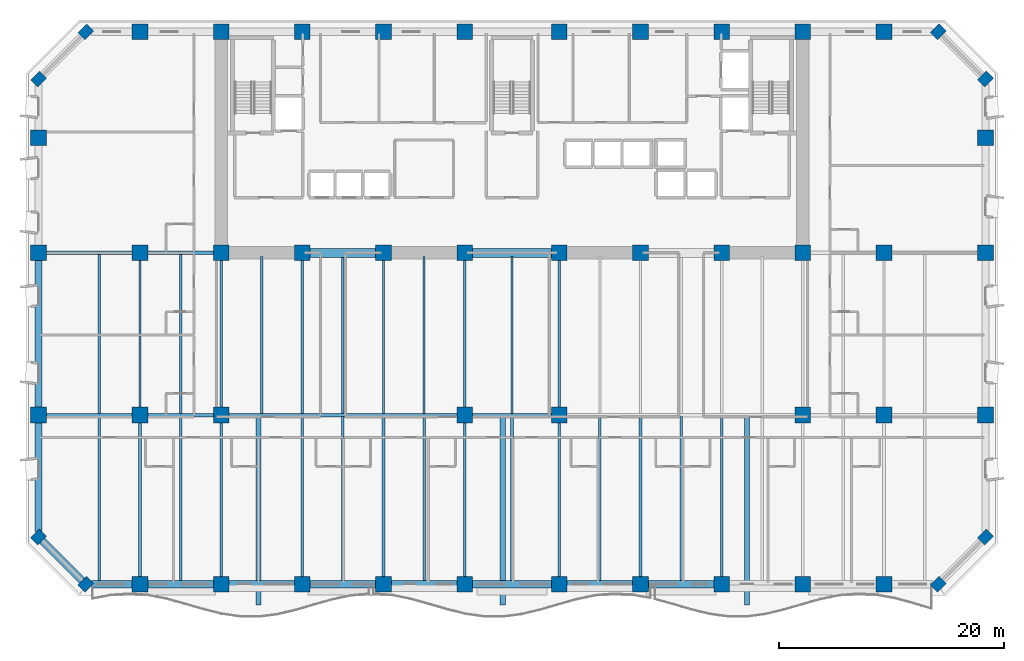
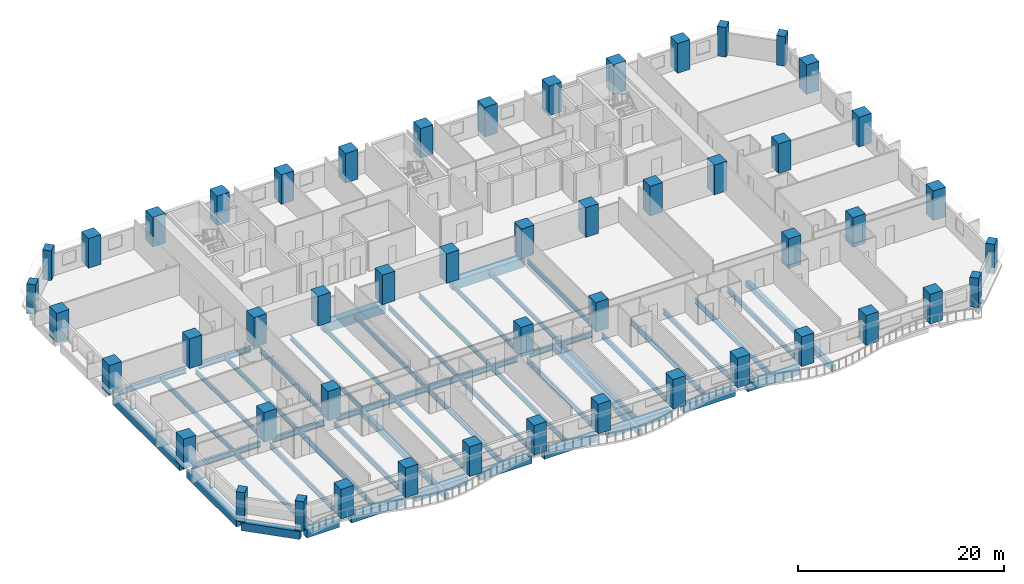
# One storey, part 1 of 15: 50 columns, 49 beams.
"""IFC4 building model written with IfcOpenShell, lengths in metres."""

from ifc_helpers import new_model, si_unit, direction, frame, origin, origin_2d, place, context, subcontext, project, spatial, rectangle, i_section, extrude, material, material_profile, profile_set, type_object, element, save


model = new_model("IFC4")

# Units and contexts
model_context = context("Model", 3, precision=1e-05, world=origin(), true_north=direction((0.0, 1.0)))
body_context = subcontext(model_context, "Body", "Model", "MODEL_VIEW")
ifc_project = project(units=[si_unit("LENGTHUNIT", "METRE"), si_unit("AREAUNIT", "SQUARE_METRE"), si_unit("VOLUMEUNIT", "CUBIC_METRE"), si_unit("PLANEANGLEUNIT", "RADIAN"), si_unit("MASSUNIT", "GRAM", prefix="KILO")], contexts=[model_context])

# Site, building, storey
site_placement = place(None, origin())
site = spatial("IfcSite", under=ifc_project, at=site_placement, CompositionType="ELEMENT")
building_placement = place(site_placement, origin())
building = spatial("IfcBuilding", under=site, at=building_placement, Name="Kaelvorn Grand Hotel", CompositionType="ELEMENT")
storey_placement = place(building_placement, frame((0.0, 0.0, 61.39990234375)))
storey = spatial("IfcBuildingStorey", under=building, at=storey_placement, Name="L13", CompositionType="ELEMENT", Elevation=61.39990234375)

# Columns
ifc_material_1 = material(Name="Concrete C80/95", Category="concrete")
ifc_material_profile_1 = material_profile(ifc_material_1, rectangle(XDim=1.10009765625, YDim=0.89990234375, at=origin_2d()), Name="RC PILASTER 1100x900")
ifc_profile_set_1 = profile_set([ifc_material_profile_1], Name="Concrete C80/95")
column_type_1 = type_object("IfcColumnType", Name="COL-PIL-1100x900-C80", PredefinedType="PILASTER", material=ifc_profile_set_1)
for number, where, z_axis, x_axis, name in (
    (1, (4.199951171875, 0.0, 0.0), (0.0, 0.0, 1.0), (0.707106781187, 0.707106781187, 0.0), "L13 Structural Column CH-01"),
    (2, (79.800048828125, 0.0, 0.0), (0.0, 0.0, 1.0), (0.707106781187, 0.707106781187, 0.0), "L13 Structural Column CH-02"),
    (3, (84.0, 4.199951171875, 0.0), (0.0, 0.0, 1.0), (0.707106781187, 0.707106781187, 0.0), "L13 Structural Column CH-03"),
    (4, (84.0, 44.800048828125, 0.0), (0.0, 0.0, 1.0), (0.707106781187, 0.707106781187, 0.0), "L13 Structural Column CH-04"),
    (5, (79.800048828125, 49.0, 0.0), (0.0, 0.0, 1.0), (0.707106781187, 0.707106781187, 0.0), "L13 Structural Column CH-05"),
    (6, (4.199951171875, 49.0, 0.0), (0.0, 0.0, 1.0), (0.707106781187, 0.707106781187, 0.0), "L13 Structural Column CH-06"),
    (7, (0.0, 44.800048828125, 0.0), (0.0, 0.0, 1.0), (0.707106781187, 0.707106781187, 0.0), "L13 Structural Column CH-07"),
    (8, (0.0, 4.199951171875, 0.0), (0.0, 0.0, 1.0), (0.707106781187, 0.707106781187, 0.0), "L13 Structural Column CH-08"),
):
    element("IfcColumn", number, at=place(storey_placement, frame(where, z_axis=z_axis, x_axis=x_axis)), inside=storey, type_object=column_type_1, Name=name, PredefinedType="PILASTER", context=body_context, shape_type="SweptSolid", body=[
        extrude(rectangle(XDim=1.10009765625, YDim=0.89990234375, at=origin_2d()), origin(), (0.0, 0.0, 1.0), 3.510009765625),
    ])
ifc_material_profile_2 = material_profile(ifc_material_1, rectangle(XDim=1.39990234375, YDim=1.39990234375, at=origin_2d()), Name="RC COL 1400x1400")
ifc_profile_set_2 = profile_set([ifc_material_profile_2], Name="Concrete C80/95")
column_type_2 = type_object("IfcColumnType", Name="COL-RC-1400-C80", PredefinedType="COLUMN", material=ifc_profile_set_2)
for number, where, z_axis, x_axis, name in (
    (9, (9.0, 0.0, 0.0), (0.0, 0.0, 1.0), (1.0, 0.0, 0.0), "L13 Structural Column S-01"),
    (10, (16.199951171875, 0.0, 0.0), (0.0, 0.0, 1.0), (1.0, 0.0, 0.0), "L13 Structural Column S-02"),
    (11, (23.39990234375, 0.0, 0.0), (0.0, 0.0, 1.0), (1.0, 0.0, 0.0), "L13 Structural Column S-03"),
    (12, (30.60009765625, 0.0, 0.0), (0.0, 0.0, 1.0), (1.0, 0.0, 0.0), "L13 Structural Column S-04"),
    (13, (37.800048828125, 0.0, 0.0), (0.0, 0.0, 1.0), (1.0, 0.0, 0.0), "L13 Structural Column S-05"),
    (14, (46.199951171875, 0.0, 0.0), (0.0, 0.0, 1.0), (1.0, 0.0, 0.0), "L13 Structural Column S-06"),
    (15, (53.39990234375, 0.0, 0.0), (0.0, 0.0, 1.0), (1.0, 0.0, 0.0), "L13 Structural Column S-07"),
    (16, (60.60009765625, 0.0, 0.0), (0.0, 0.0, 1.0), (1.0, 0.0, 0.0), "L13 Structural Column S-08"),
    (17, (67.800048828125, 0.0, 0.0), (0.0, 0.0, 1.0), (1.0, 0.0, 0.0), "L13 Structural Column S-09"),
    (18, (75.0, 0.0, 0.0), (0.0, 0.0, 1.0), (1.0, 0.0, 0.0), "L13 Structural Column S-10"),
    (19, (0.0, 15.0, 0.0), (0.0, 0.0, 1.0), (1.0, 0.0, 0.0), "L13 Structural Column W-01"),
    (20, (84.0, 15.0, 0.0), (0.0, 0.0, 1.0), (1.0, 0.0, 0.0), "L13 Structural Column E-01"),
    (21, (0.0, 29.39990234375, 0.0), (0.0, 0.0, 1.0), (1.0, 0.0, 0.0), "L13 Structural Column W-02"),
    (22, (84.0, 29.39990234375, 0.0), (0.0, 0.0, 1.0), (1.0, 0.0, 0.0), "L13 Structural Column E-02"),
    (23, (0.0, 39.60009765625, 0.0), (0.0, 0.0, 1.0), (1.0, 0.0, 0.0), "L13 Structural Column W-03"),
    (24, (84.0, 39.60009765625, 0.0), (0.0, 0.0, 1.0), (1.0, 0.0, 0.0), "L13 Structural Column E-03"),
    (25, (9.0, 15.0, 0.0), (0.0, 0.0, 1.0), (1.0, 0.0, 0.0), "L13 Structural Column M-01"),
    (26, (16.199951171875, 15.0, 0.0), (0.0, 0.0, 1.0), (1.0, 0.0, 0.0), "L13 Structural Column M-02"),
    (27, (37.800048828125, 15.0, 0.0), (0.0, 0.0, 1.0), (1.0, 0.0, 0.0), "L13 Structural Column M-03"),
    (28, (46.199951171875, 15.0, 0.0), (0.0, 0.0, 1.0), (1.0, 0.0, 0.0), "L13 Structural Column M-04"),
    (29, (67.800048828125, 15.0, 0.0), (0.0, 0.0, 1.0), (1.0, 0.0, 0.0), "L13 Structural Column M-05"),
    (30, (75.0, 15.0, 0.0), (0.0, 0.0, 1.0), (1.0, 0.0, 0.0), "L13 Structural Column M-06"),
    (31, (9.0, 29.39990234375, 0.0), (0.0, 0.0, 1.0), (1.0, 0.0, 0.0), "L13 Structural Column CR1-01"),
    (32, (9.0, 49.0, 0.0), (0.0, 0.0, 1.0), (1.0, 0.0, 0.0), "L13 Structural Column CR2-01"),
    (33, (16.199951171875, 29.39990234375, 0.0), (0.0, 0.0, 1.0), (1.0, 0.0, 0.0), "L13 Structural Column CR1-02"),
    (34, (16.199951171875, 49.0, 0.0), (0.0, 0.0, 1.0), (1.0, 0.0, 0.0), "L13 Structural Column CR2-02"),
    (35, (23.39990234375, 29.39990234375, 0.0), (0.0, 0.0, 1.0), (1.0, 0.0, 0.0), "L13 Structural Column CR1-03"),
    (36, (23.39990234375, 49.0, 0.0), (0.0, 0.0, 1.0), (1.0, 0.0, 0.0), "L13 Structural Column CR2-03"),
    (37, (30.60009765625, 29.39990234375, 0.0), (0.0, 0.0, 1.0), (1.0, 0.0, 0.0), "L13 Structural Column CR1-04"),
    (38, (30.60009765625, 49.0, 0.0), (0.0, 0.0, 1.0), (1.0, 0.0, 0.0), "L13 Structural Column CR2-04"),
    (39, (37.800048828125, 29.39990234375, 0.0), (0.0, 0.0, 1.0), (1.0, 0.0, 0.0), "L13 Structural Column CR1-05"),
    (40, (37.800048828125, 49.0, 0.0), (0.0, 0.0, 1.0), (1.0, 0.0, 0.0), "L13 Structural Column CR2-05"),
    (41, (46.199951171875, 29.39990234375, 0.0), (0.0, 0.0, 1.0), (1.0, 0.0, 0.0), "L13 Structural Column CR1-06"),
    (42, (46.199951171875, 49.0, 0.0), (0.0, 0.0, 1.0), (1.0, 0.0, 0.0), "L13 Structural Column CR2-06"),
    (43, (53.39990234375, 29.39990234375, 0.0), (0.0, 0.0, 1.0), (1.0, 0.0, 0.0), "L13 Structural Column CR1-07"),
    (44, (53.39990234375, 49.0, 0.0), (0.0, 0.0, 1.0), (1.0, 0.0, 0.0), "L13 Structural Column CR2-07"),
    (45, (60.60009765625, 29.39990234375, 0.0), (0.0, 0.0, 1.0), (1.0, 0.0, 0.0), "L13 Structural Column CR1-08"),
    (46, (60.60009765625, 49.0, 0.0), (0.0, 0.0, 1.0), (1.0, 0.0, 0.0), "L13 Structural Column CR2-08"),
    (47, (67.800048828125, 29.39990234375, 0.0), (0.0, 0.0, 1.0), (1.0, 0.0, 0.0), "L13 Structural Column CR1-09"),
    (48, (67.800048828125, 49.0, 0.0), (0.0, 0.0, 1.0), (1.0, 0.0, 0.0), "L13 Structural Column CR2-09"),
    (49, (75.0, 29.39990234375, 0.0), (0.0, 0.0, 1.0), (1.0, 0.0, 0.0), "L13 Structural Column CR1-10"),
    (50, (75.0, 49.0, 0.0), (0.0, 0.0, 1.0), (1.0, 0.0, 0.0), "L13 Structural Column CR2-10"),
):
    element("IfcColumn", number, at=place(storey_placement, frame(where, z_axis=z_axis, x_axis=x_axis)), inside=storey, type_object=column_type_2, Name=name, PredefinedType="COLUMN", context=body_context, shape_type="SweptSolid", body=[
        extrude(rectangle(XDim=1.39990234375, YDim=1.39990234375, at=origin_2d()), origin(), (0.0, 0.0, 1.0), 3.510009765625),
    ])

# Beams
ifc_material_2 = material(Name="Steel S355", Category="steel")
ifc_material_profile_3 = material_profile(ifc_material_2, i_section(OverallWidth=0.300048828125, OverallDepth=0.64990234375, WebThickness=0.01611328125, FlangeThickness=0.031005859375, FilletRadius=0.027099609375, at=origin_2d()), Name="HEB 650")
ifc_profile_set_3 = profile_set([ifc_material_profile_3], Name="Steel S355")
beam_type_1 = type_object("IfcBeamType", Name="BM-G-HEB650-S355", PredefinedType="BEAM", material=ifc_profile_set_3)
beam_1_placement = place(storey_placement, frame((0.68505859375, 15.0, -0.56494140625), z_axis=(1.0, 0.0, 0.0), x_axis=(0.0, 1.0, 0.0)))
element("IfcBeam", 51, at=beam_1_placement, inside=storey, type_object=beam_type_1, Name="L13 Primary Spine Steel Girder G-15 01", PredefinedType="BEAM", context=body_context, shape_type="SweptSolid", body=[
    extrude(i_section(OverallWidth=0.300048828125, OverallDepth=0.64990234375, WebThickness=0.01611328125, FlangeThickness=0.031005859375, FilletRadius=0.027099609375, at=origin_2d()), origin(), (0.0, 0.0, 1.0), 7.6298828125),
])
beam_2_placement = place(storey_placement, frame((9.68505859375, 15.0, -0.56494140625), z_axis=(1.0, 0.0, 0.0), x_axis=(0.0, 1.0, 0.0)))
element("IfcBeam", 52, at=beam_2_placement, inside=storey, type_object=beam_type_1, Name="L13 Primary Spine Steel Girder G-15 02", PredefinedType="BEAM", context=body_context, shape_type="SweptSolid", body=[
    extrude(i_section(OverallWidth=0.300048828125, OverallDepth=0.64990234375, WebThickness=0.01611328125, FlangeThickness=0.031005859375, FilletRadius=0.027099609375, at=origin_2d()), origin(), (0.0, 0.0, 1.0), 5.829833984375),
])
beam_3_placement = place(storey_placement, frame((16.885009765625, 15.0, -0.56494140625), z_axis=(1.0, 0.0, 0.0), x_axis=(0.0, 1.0, 0.0)))
element("IfcBeam", 53, at=beam_3_placement, inside=storey, type_object=beam_type_1, Name="L13 Primary Spine Steel Girder G-15 03", PredefinedType="BEAM", context=body_context, shape_type="SweptSolid", body=[
    extrude(i_section(OverallWidth=0.300048828125, OverallDepth=0.64990234375, WebThickness=0.01611328125, FlangeThickness=0.031005859375, FilletRadius=0.027099609375, at=origin_2d()), origin(), (0.0, 0.0, 1.0), 20.22998046875),
])
beam_4_placement = place(storey_placement, frame((38.485107421875, 15.0, -0.56494140625), z_axis=(1.0, 0.0, 0.0), x_axis=(0.0, 1.0, 0.0)))
element("IfcBeam", 54, at=beam_4_placement, inside=storey, type_object=beam_type_1, Name="L13 Primary Spine Steel Girder G-15 04", PredefinedType="BEAM", context=body_context, shape_type="SweptSolid", body=[
    extrude(i_section(OverallWidth=0.300048828125, OverallDepth=0.64990234375, WebThickness=0.01611328125, FlangeThickness=0.031005859375, FilletRadius=0.027099609375, at=origin_2d()), origin(), (0.0, 0.0, 1.0), 7.02978515625),
])
beam_5_placement = place(storey_placement, frame((0.68505859375, 29.39990234375, -0.56494140625), z_axis=(1.0, 0.0, 0.0), x_axis=(0.0, 1.0, 0.0)))
element("IfcBeam", 55, at=beam_5_placement, inside=storey, type_object=beam_type_1, Name="L13 West Core Wing Steel Girder G-29W 01", PredefinedType="BEAM", context=body_context, shape_type="SweptSolid", body=[
    extrude(i_section(OverallWidth=0.300048828125, OverallDepth=0.64990234375, WebThickness=0.01611328125, FlangeThickness=0.031005859375, FilletRadius=0.027099609375, at=origin_2d()), origin(), (0.0, 0.0, 1.0), 7.6298828125),
])
beam_6_placement = place(storey_placement, frame((9.68505859375, 29.39990234375, -0.56494140625), z_axis=(1.0, 0.0, 0.0), x_axis=(0.0, 1.0, 0.0)))
element("IfcBeam", 56, at=beam_6_placement, inside=storey, type_object=beam_type_1, Name="L13 West Core Wing Steel Girder G-29W 02", PredefinedType="BEAM", context=body_context, shape_type="SweptSolid", body=[
    extrude(i_section(OverallWidth=0.300048828125, OverallDepth=0.64990234375, WebThickness=0.01611328125, FlangeThickness=0.031005859375, FilletRadius=0.027099609375, at=origin_2d()), origin(), (0.0, 0.0, 1.0), 5.829833984375),
])
ifc_material_profile_4 = material_profile(ifc_material_2, i_section(OverallWidth=0.209228515625, OverallDepth=0.533203125, WebThickness=0.010009765625, FlangeThickness=0.015625, FilletRadius=0.0126953125, at=origin_2d()), Name="UB 533x210x92")
ifc_profile_set_4 = profile_set([ifc_material_profile_4], Name="Steel S355")
beam_type_2 = type_object("IfcBeamType", Name="BM-J-UB533-S355", PredefinedType="JOIST", material=ifc_profile_set_4)
beam_7_placement = place(storey_placement, frame((5.39990234375, 15.135009765625, -0.50634765625), z_axis=(0.0, 1.0, 0.0), x_axis=(-1.0, 0.0, 0.0)))
element("IfcBeam", 57, at=beam_7_placement, inside=storey, type_object=beam_type_2, Name="L13 Composite Floor Joist JM-02", PredefinedType="JOIST", context=body_context, shape_type="SweptSolid", body=[
    extrude(i_section(OverallWidth=0.209228515625, OverallDepth=0.533203125, WebThickness=0.010009765625, FlangeThickness=0.015625, FilletRadius=0.0126953125, at=origin_2d()), origin(), (0.0, 0.0, 1.0), 14.1298828125),
])
beam_8_placement = place(storey_placement, frame((9.0, 15.68505859375, -0.50634765625), z_axis=(0.0, 1.0, 0.0), x_axis=(-1.0, 0.0, 0.0)))
element("IfcBeam", 58, at=beam_8_placement, inside=storey, type_object=beam_type_2, Name="L13 Composite Floor Joist JM-03", PredefinedType="JOIST", context=body_context, shape_type="SweptSolid", body=[
    extrude(i_section(OverallWidth=0.209228515625, OverallDepth=0.533203125, WebThickness=0.010009765625, FlangeThickness=0.015625, FilletRadius=0.0126953125, at=origin_2d()), origin(), (0.0, 0.0, 1.0), 13.030029296875),
])
beam_9_placement = place(storey_placement, frame((12.60009765625, 15.135009765625, -0.50634765625), z_axis=(0.0, 1.0, 0.0), x_axis=(-1.0, 0.0, 0.0)))
element("IfcBeam", 59, at=beam_9_placement, inside=storey, type_object=beam_type_2, Name="L13 Composite Floor Joist JM-04", PredefinedType="JOIST", context=body_context, shape_type="SweptSolid", body=[
    extrude(i_section(OverallWidth=0.209228515625, OverallDepth=0.533203125, WebThickness=0.010009765625, FlangeThickness=0.015625, FilletRadius=0.0126953125, at=origin_2d()), origin(), (0.0, 0.0, 1.0), 14.1298828125),
])
beam_10_placement = place(storey_placement, frame((16.199951171875, 15.68505859375, -0.50634765625), z_axis=(0.0, 1.0, 0.0), x_axis=(-1.0, 0.0, 0.0)))
element("IfcBeam", 60, at=beam_10_placement, inside=storey, type_object=beam_type_2, Name="L13 Composite Floor Joist JM-05", PredefinedType="JOIST", context=body_context, shape_type="SweptSolid", body=[
    extrude(i_section(OverallWidth=0.209228515625, OverallDepth=0.533203125, WebThickness=0.010009765625, FlangeThickness=0.015625, FilletRadius=0.0126953125, at=origin_2d()), origin(), (0.0, 0.0, 1.0), 13.030029296875),
])
beam_11_placement = place(storey_placement, frame((19.800048828125, 15.135009765625, -0.50634765625), z_axis=(0.0, 1.0, 0.0), x_axis=(-1.0, 0.0, 0.0)))
element("IfcBeam", 61, at=beam_11_placement, inside=storey, type_object=beam_type_2, Name="L13 Composite Floor Joist JM-06", PredefinedType="JOIST", context=body_context, shape_type="SweptSolid", body=[
    extrude(i_section(OverallWidth=0.209228515625, OverallDepth=0.533203125, WebThickness=0.010009765625, FlangeThickness=0.015625, FilletRadius=0.0126953125, at=origin_2d()), origin(), (0.0, 0.0, 1.0), 13.925048828125),
])
beam_12_placement = place(storey_placement, frame((23.39990234375, 15.135009765625, -0.50634765625), z_axis=(0.0, 1.0, 0.0), x_axis=(-1.0, 0.0, 0.0)))
element("IfcBeam", 62, at=beam_12_placement, inside=storey, type_object=beam_type_2, Name="L13 Composite Floor Joist JM-07", PredefinedType="JOIST", context=body_context, shape_type="SweptSolid", body=[
    extrude(i_section(OverallWidth=0.209228515625, OverallDepth=0.533203125, WebThickness=0.010009765625, FlangeThickness=0.015625, FilletRadius=0.0126953125, at=origin_2d()), origin(), (0.0, 0.0, 1.0), 13.580078125),
])
beam_13_placement = place(storey_placement, frame((27.0, 15.135009765625, -0.50634765625), z_axis=(0.0, 1.0, 0.0), x_axis=(-1.0, 0.0, 0.0)))
element("IfcBeam", 63, at=beam_13_placement, inside=storey, type_object=beam_type_2, Name="L13 Composite Floor Joist JM-08", PredefinedType="JOIST", context=body_context, shape_type="SweptSolid", body=[
    extrude(i_section(OverallWidth=0.209228515625, OverallDepth=0.533203125, WebThickness=0.010009765625, FlangeThickness=0.015625, FilletRadius=0.0126953125, at=origin_2d()), origin(), (0.0, 0.0, 1.0), 13.925048828125),
])
beam_14_placement = place(storey_placement, frame((30.60009765625, 15.135009765625, -0.50634765625), z_axis=(0.0, 1.0, 0.0), x_axis=(-1.0, 0.0, 0.0)))
element("IfcBeam", 64, at=beam_14_placement, inside=storey, type_object=beam_type_2, Name="L13 Composite Floor Joist JM-09", PredefinedType="JOIST", context=body_context, shape_type="SweptSolid", body=[
    extrude(i_section(OverallWidth=0.209228515625, OverallDepth=0.533203125, WebThickness=0.010009765625, FlangeThickness=0.015625, FilletRadius=0.0126953125, at=origin_2d()), origin(), (0.0, 0.0, 1.0), 13.580078125),
])
beam_15_placement = place(storey_placement, frame((34.199951171875, 15.135009765625, -0.50634765625), z_axis=(0.0, 1.0, 0.0), x_axis=(-1.0, 0.0, 0.0)))
element("IfcBeam", 65, at=beam_15_placement, inside=storey, type_object=beam_type_2, Name="L13 Composite Floor Joist JM-10", PredefinedType="JOIST", context=body_context, shape_type="SweptSolid", body=[
    extrude(i_section(OverallWidth=0.209228515625, OverallDepth=0.533203125, WebThickness=0.010009765625, FlangeThickness=0.015625, FilletRadius=0.0126953125, at=origin_2d()), origin(), (0.0, 0.0, 1.0), 13.925048828125),
])
beam_16_placement = place(storey_placement, frame((37.800048828125, 15.68505859375, -0.50634765625), z_axis=(0.0, 1.0, 0.0), x_axis=(-1.0, 0.0, 0.0)))
element("IfcBeam", 66, at=beam_16_placement, inside=storey, type_object=beam_type_2, Name="L13 Composite Floor Joist JM-11", PredefinedType="JOIST", context=body_context, shape_type="SweptSolid", body=[
    extrude(i_section(OverallWidth=0.209228515625, OverallDepth=0.533203125, WebThickness=0.010009765625, FlangeThickness=0.015625, FilletRadius=0.0126953125, at=origin_2d()), origin(), (0.0, 0.0, 1.0), 13.030029296875),
])
beam_17_placement = place(storey_placement, frame((42.0, 15.135009765625, -0.50634765625), z_axis=(0.0, 1.0, 0.0), x_axis=(-1.0, 0.0, 0.0)))
element("IfcBeam", 67, at=beam_17_placement, inside=storey, type_object=beam_type_2, Name="L13 Composite Floor Joist JM-12", PredefinedType="JOIST", context=body_context, shape_type="SweptSolid", body=[
    extrude(i_section(OverallWidth=0.209228515625, OverallDepth=0.533203125, WebThickness=0.010009765625, FlangeThickness=0.015625, FilletRadius=0.0126953125, at=origin_2d()), origin(), (0.0, 0.0, 1.0), 13.925048828125),
])
beam_18_placement = place(storey_placement, frame((46.199951171875, 15.68505859375, -0.50634765625), z_axis=(0.0, 1.0, 0.0), x_axis=(-1.0, 0.0, 0.0)))
element("IfcBeam", 68, at=beam_18_placement, inside=storey, type_object=beam_type_2, Name="L13 Composite Floor Joist JM-13", PredefinedType="JOIST", context=body_context, shape_type="SweptSolid", body=[
    extrude(i_section(OverallWidth=0.209228515625, OverallDepth=0.533203125, WebThickness=0.010009765625, FlangeThickness=0.015625, FilletRadius=0.0126953125, at=origin_2d()), origin(), (0.0, 0.0, 1.0), 13.030029296875),
])
ifc_material_profile_5 = material_profile(ifc_material_2, i_section(OverallWidth=0.22900390625, OverallDepth=0.6123046875, WebThickness=0.011962890625, FlangeThickness=0.01953125, FilletRadius=0.0126953125, at=origin_2d()), Name="UB 610x229x125")
ifc_profile_set_5 = profile_set([ifc_material_profile_5], Name="Steel S355")
beam_type_3 = type_object("IfcBeamType", Name="BM-J-UB610-S355", PredefinedType="JOIST", material=ifc_profile_set_5)
beam_19_placement = place(storey_placement, frame((5.39990234375, 0.31005859375, -0.5458984375), z_axis=(0.0, 1.0, 0.0), x_axis=(-1.0, 0.0, 0.0)))
element("IfcBeam", 69, at=beam_19_placement, inside=storey, type_object=beam_type_3, Name="L13 Composite Floor Joist JS-02", PredefinedType="JOIST", context=body_context, shape_type="SweptSolid", body=[
    extrude(i_section(OverallWidth=0.22900390625, OverallDepth=0.6123046875, WebThickness=0.011962890625, FlangeThickness=0.01953125, FilletRadius=0.0126953125, at=origin_2d()), origin(), (0.0, 0.0, 1.0), 14.554931640625),
])
beam_20_placement = place(storey_placement, frame((9.0, 0.68505859375, -0.5458984375), z_axis=(0.0, 1.0, 0.0), x_axis=(-1.0, 0.0, 0.0)))
element("IfcBeam", 70, at=beam_20_placement, inside=storey, type_object=beam_type_3, Name="L13 Composite Floor Joist JS-03", PredefinedType="JOIST", context=body_context, shape_type="SweptSolid", body=[
    extrude(i_section(OverallWidth=0.22900390625, OverallDepth=0.6123046875, WebThickness=0.011962890625, FlangeThickness=0.01953125, FilletRadius=0.0126953125, at=origin_2d()), origin(), (0.0, 0.0, 1.0), 13.6298828125),
])
beam_21_placement = place(storey_placement, frame((12.60009765625, 0.31005859375, -0.5458984375), z_axis=(0.0, 1.0, 0.0), x_axis=(-1.0, 0.0, 0.0)))
element("IfcBeam", 71, at=beam_21_placement, inside=storey, type_object=beam_type_3, Name="L13 Composite Floor Joist JS-04", PredefinedType="JOIST", context=body_context, shape_type="SweptSolid", body=[
    extrude(i_section(OverallWidth=0.22900390625, OverallDepth=0.6123046875, WebThickness=0.011962890625, FlangeThickness=0.01953125, FilletRadius=0.0126953125, at=origin_2d()), origin(), (0.0, 0.0, 1.0), 14.554931640625),
])
beam_22_placement = place(storey_placement, frame((16.199951171875, 0.68505859375, -0.5458984375), z_axis=(0.0, 1.0, 0.0), x_axis=(-1.0, 0.0, 0.0)))
element("IfcBeam", 72, at=beam_22_placement, inside=storey, type_object=beam_type_3, Name="L13 Composite Floor Joist JS-05", PredefinedType="JOIST", context=body_context, shape_type="SweptSolid", body=[
    extrude(i_section(OverallWidth=0.22900390625, OverallDepth=0.6123046875, WebThickness=0.011962890625, FlangeThickness=0.01953125, FilletRadius=0.0126953125, at=origin_2d()), origin(), (0.0, 0.0, 1.0), 13.6298828125),
])
beam_23_placement = place(storey_placement, frame((23.39990234375, 0.68505859375, -0.5458984375), z_axis=(0.0, 1.0, 0.0), x_axis=(-1.0, 0.0, 0.0)))
element("IfcBeam", 73, at=beam_23_placement, inside=storey, type_object=beam_type_3, Name="L13 Composite Floor Joist JS-07", PredefinedType="JOIST", context=body_context, shape_type="SweptSolid", body=[
    extrude(i_section(OverallWidth=0.22900390625, OverallDepth=0.6123046875, WebThickness=0.011962890625, FlangeThickness=0.01953125, FilletRadius=0.0126953125, at=origin_2d()), origin(), (0.0, 0.0, 1.0), 14.179931640625),
])
beam_24_placement = place(storey_placement, frame((27.0, 0.31005859375, -0.5458984375), z_axis=(0.0, 1.0, 0.0), x_axis=(-1.0, 0.0, 0.0)))
element("IfcBeam", 74, at=beam_24_placement, inside=storey, type_object=beam_type_3, Name="L13 Composite Floor Joist JS-08", PredefinedType="JOIST", context=body_context, shape_type="SweptSolid", body=[
    extrude(i_section(OverallWidth=0.22900390625, OverallDepth=0.6123046875, WebThickness=0.011962890625, FlangeThickness=0.01953125, FilletRadius=0.0126953125, at=origin_2d()), origin(), (0.0, 0.0, 1.0), 14.554931640625),
])
beam_25_placement = place(storey_placement, frame((30.60009765625, 0.68505859375, -0.5458984375), z_axis=(0.0, 1.0, 0.0), x_axis=(-1.0, 0.0, 0.0)))
element("IfcBeam", 75, at=beam_25_placement, inside=storey, type_object=beam_type_3, Name="L13 Composite Floor Joist JS-09", PredefinedType="JOIST", context=body_context, shape_type="SweptSolid", body=[
    extrude(i_section(OverallWidth=0.22900390625, OverallDepth=0.6123046875, WebThickness=0.011962890625, FlangeThickness=0.01953125, FilletRadius=0.0126953125, at=origin_2d()), origin(), (0.0, 0.0, 1.0), 14.179931640625),
])
beam_26_placement = place(storey_placement, frame((34.199951171875, 0.31005859375, -0.5458984375), z_axis=(0.0, 1.0, 0.0), x_axis=(-1.0, 0.0, 0.0)))
element("IfcBeam", 76, at=beam_26_placement, inside=storey, type_object=beam_type_3, Name="L13 Composite Floor Joist JS-10", PredefinedType="JOIST", context=body_context, shape_type="SweptSolid", body=[
    extrude(i_section(OverallWidth=0.22900390625, OverallDepth=0.6123046875, WebThickness=0.011962890625, FlangeThickness=0.01953125, FilletRadius=0.0126953125, at=origin_2d()), origin(), (0.0, 0.0, 1.0), 14.554931640625),
])
beam_27_placement = place(storey_placement, frame((37.800048828125, 0.68505859375, -0.5458984375), z_axis=(0.0, 1.0, 0.0), x_axis=(-1.0, 0.0, 0.0)))
element("IfcBeam", 77, at=beam_27_placement, inside=storey, type_object=beam_type_3, Name="L13 Composite Floor Joist JS-11", PredefinedType="JOIST", context=body_context, shape_type="SweptSolid", body=[
    extrude(i_section(OverallWidth=0.22900390625, OverallDepth=0.6123046875, WebThickness=0.011962890625, FlangeThickness=0.01953125, FilletRadius=0.0126953125, at=origin_2d()), origin(), (0.0, 0.0, 1.0), 13.6298828125),
])
beam_28_placement = place(storey_placement, frame((42.0, 0.31005859375, -0.5458984375), z_axis=(0.0, 1.0, 0.0), x_axis=(-1.0, 0.0, 0.0)))
element("IfcBeam", 78, at=beam_28_placement, inside=storey, type_object=beam_type_3, Name="L13 Composite Floor Joist JS-12", PredefinedType="JOIST", context=body_context, shape_type="SweptSolid", body=[
    extrude(i_section(OverallWidth=0.22900390625, OverallDepth=0.6123046875, WebThickness=0.011962890625, FlangeThickness=0.01953125, FilletRadius=0.0126953125, at=origin_2d()), origin(), (0.0, 0.0, 1.0), 14.554931640625),
])
beam_29_placement = place(storey_placement, frame((46.199951171875, 0.68505859375, -0.5458984375), z_axis=(0.0, 1.0, 0.0), x_axis=(-1.0, 0.0, 0.0)))
element("IfcBeam", 79, at=beam_29_placement, inside=storey, type_object=beam_type_3, Name="L13 Composite Floor Joist JS-13", PredefinedType="JOIST", context=body_context, shape_type="SweptSolid", body=[
    extrude(i_section(OverallWidth=0.22900390625, OverallDepth=0.6123046875, WebThickness=0.011962890625, FlangeThickness=0.01953125, FilletRadius=0.0126953125, at=origin_2d()), origin(), (0.0, 0.0, 1.0), 13.6298828125),
])
beam_30_placement = place(storey_placement, frame((49.800048828125, 0.31005859375, -0.5458984375), z_axis=(0.0, 1.0, 0.0), x_axis=(-1.0, 0.0, 0.0)))
element("IfcBeam", 80, at=beam_30_placement, inside=storey, type_object=beam_type_3, Name="L13 Composite Floor Joist JS-14", PredefinedType="JOIST", context=body_context, shape_type="SweptSolid", body=[
    extrude(i_section(OverallWidth=0.22900390625, OverallDepth=0.6123046875, WebThickness=0.011962890625, FlangeThickness=0.01953125, FilletRadius=0.0126953125, at=origin_2d()), origin(), (0.0, 0.0, 1.0), 14.554931640625),
])
beam_31_placement = place(storey_placement, frame((53.39990234375, 0.68505859375, -0.5458984375), z_axis=(0.0, 1.0, 0.0), x_axis=(-1.0, 0.0, 0.0)))
element("IfcBeam", 81, at=beam_31_placement, inside=storey, type_object=beam_type_3, Name="L13 Composite Floor Joist JS-15", PredefinedType="JOIST", context=body_context, shape_type="SweptSolid", body=[
    extrude(i_section(OverallWidth=0.22900390625, OverallDepth=0.6123046875, WebThickness=0.011962890625, FlangeThickness=0.01953125, FilletRadius=0.0126953125, at=origin_2d()), origin(), (0.0, 0.0, 1.0), 14.179931640625),
])
beam_32_placement = place(storey_placement, frame((57.0, 0.31005859375, -0.5458984375), z_axis=(0.0, 1.0, 0.0), x_axis=(-1.0, 0.0, 0.0)))
element("IfcBeam", 82, at=beam_32_placement, inside=storey, type_object=beam_type_3, Name="L13 Composite Floor Joist JS-16", PredefinedType="JOIST", context=body_context, shape_type="SweptSolid", body=[
    extrude(i_section(OverallWidth=0.22900390625, OverallDepth=0.6123046875, WebThickness=0.011962890625, FlangeThickness=0.01953125, FilletRadius=0.0126953125, at=origin_2d()), origin(), (0.0, 0.0, 1.0), 14.554931640625),
])
beam_33_placement = place(storey_placement, frame((60.60009765625, 0.68505859375, -0.5458984375), z_axis=(0.0, 1.0, 0.0), x_axis=(-1.0, 0.0, 0.0)))
element("IfcBeam", 83, at=beam_33_placement, inside=storey, type_object=beam_type_3, Name="L13 Composite Floor Joist JS-17", PredefinedType="JOIST", context=body_context, shape_type="SweptSolid", body=[
    extrude(i_section(OverallWidth=0.22900390625, OverallDepth=0.6123046875, WebThickness=0.011962890625, FlangeThickness=0.01953125, FilletRadius=0.0126953125, at=origin_2d()), origin(), (0.0, 0.0, 1.0), 14.179931640625),
])
ifc_material_3 = material(Name="Concrete C60/75", Category="concrete")
ifc_material_profile_6 = material_profile(ifc_material_3, rectangle(XDim=0.800048828125, YDim=1.10009765625, at=origin_2d()), Name="RC LINTEL 800x1100")
ifc_profile_set_6 = profile_set([ifc_material_profile_6], Name="Concrete C60/75")
beam_type_4 = type_object("IfcBeamType", Name="BM-LIN-800x1100-C60", PredefinedType="LINTEL", material=ifc_profile_set_6)
beam_34_placement = place(storey_placement, frame((23.580078125, 29.39990234375, -0.789794921875), z_axis=(1.0, 0.0, 0.0), x_axis=(0.0, 1.0, 0.0)))
element("IfcBeam", 84, at=beam_34_placement, inside=storey, type_object=beam_type_4, Name="L13 Rear-Core Coupling Lintel Beam CB1-01", PredefinedType="LINTEL", context=body_context, shape_type="SweptSolid", body=[
    extrude(rectangle(XDim=0.800048828125, YDim=1.10009765625, at=origin_2d()), origin(), (0.0, 0.0, 1.0), 6.83984375),
])
beam_35_placement = place(storey_placement, frame((37.97998046875, 29.39990234375, -0.789794921875), z_axis=(1.0, 0.0, 0.0), x_axis=(0.0, 1.0, 0.0)))
element("IfcBeam", 85, at=beam_35_placement, inside=storey, type_object=beam_type_4, Name="L13 Rear-Core Coupling Lintel Beam CB1-02", PredefinedType="LINTEL", context=body_context, shape_type="SweptSolid", body=[
    extrude(rectangle(XDim=0.800048828125, YDim=1.10009765625, at=origin_2d()), origin(), (0.0, 0.0, 1.0), 8.0400390625),
])
ifc_material_4 = material(Name="Concrete C40/50", Category="concrete")
ifc_material_profile_7 = material_profile(ifc_material_4, rectangle(XDim=0.449951171875, YDim=0.64990234375, at=origin_2d()), Name="RC RIB 450x650")
ifc_profile_set_7 = profile_set([ifc_material_profile_7], Name="Concrete C40/50")
beam_type_5 = type_object("IfcBeamType", Name="BM-RIB-450x650-C40", PredefinedType="SPANDREL", material=ifc_profile_set_7)
for number, where, z_axis, x_axis, name in (
    (86, (19.52001953125, -1.85009765625, -0.544921875), (0.0, 1.0, 0.0), (-1.0, 0.0, 0.0), "L13 Cantilevered Balcony Back-Span Rib RB1-1"),
    (87, (41.18212890625, -1.85009765625, -0.544921875), (0.0, 1.0, 0.0), (-1.0, 0.0, 0.0), "L13 Cantilevered Balcony Back-Span Rib RB1-2"),
    (88, (62.844482421875, -1.85009765625, -0.544921875), (0.0, 1.0, 0.0), (-1.0, 0.0, 0.0), "L13 Cantilevered Balcony Back-Span Rib RB1-3"),
):
    element("IfcBeam", number, at=place(storey_placement, frame(where, z_axis=z_axis, x_axis=x_axis)), inside=storey, type_object=beam_type_5, Name=name, PredefinedType="SPANDREL", context=body_context, shape_type="SweptSolid", body=[
        extrude(rectangle(XDim=0.449951171875, YDim=0.64990234375, at=origin_2d()), origin(), (0.0, 0.0, 1.0), 16.715087890625),
    ])
ifc_material_profile_8 = material_profile(ifc_material_3, rectangle(XDim=0.64990234375, YDim=0.949951171875, at=origin_2d()), Name="RC SPANDREL 650x950")
ifc_profile_set_8 = profile_set([ifc_material_profile_8], Name="Concrete C60/75")
beam_type_6 = type_object("IfcBeamType", Name="BM-SP-650x950-C60", PredefinedType="SPANDREL", material=ifc_profile_set_8)
beam_36_placement = place(storey_placement, frame((4.68505859375, 0.0, -0.71484375), z_axis=(1.0, 0.0, 0.0), x_axis=(0.0, 1.0, 0.0)))
element("IfcBeam", 89, at=beam_36_placement, inside=storey, type_object=beam_type_6, Name="L13 South Perimeter Spandrel 01", PredefinedType="SPANDREL", context=body_context, shape_type="SweptSolid", body=[
    extrude(rectangle(XDim=0.64990234375, YDim=0.949951171875, at=origin_2d()), origin(), (0.0, 0.0, 1.0), 3.6298828125),
])
beam_37_placement = place(storey_placement, frame((9.68505859375, 0.0, -0.71484375), z_axis=(1.0, 0.0, 0.0), x_axis=(0.0, 1.0, 0.0)))
element("IfcBeam", 90, at=beam_37_placement, inside=storey, type_object=beam_type_6, Name="L13 South Perimeter Spandrel 02", PredefinedType="SPANDREL", context=body_context, shape_type="SweptSolid", body=[
    extrude(rectangle(XDim=0.64990234375, YDim=0.949951171875, at=origin_2d()), origin(), (0.0, 0.0, 1.0), 5.829833984375),
])
for number, where, z_axis, x_axis, name in (
    (91, (16.885009765625, 0.0, -0.71484375), (1.0, 0.0, 0.0), (0.0, 1.0, 0.0), "L13 South Perimeter Spandrel 03"),
    (92, (24.0849609375, 0.0, -0.71484375), (1.0, 0.0, 0.0), (0.0, 1.0, 0.0), "L13 South Perimeter Spandrel 04"),
    (93, (31.284912109375, 0.0, -0.71484375), (1.0, 0.0, 0.0), (0.0, 1.0, 0.0), "L13 South Perimeter Spandrel 05"),
):
    element("IfcBeam", number, at=place(storey_placement, frame(where, z_axis=z_axis, x_axis=x_axis)), inside=storey, type_object=beam_type_6, Name=name, PredefinedType="SPANDREL", context=body_context, shape_type="SweptSolid", body=[
        extrude(rectangle(XDim=0.64990234375, YDim=0.949951171875, at=origin_2d()), origin(), (0.0, 0.0, 1.0), 5.830078125),
    ])
beam_38_placement = place(storey_placement, frame((38.485107421875, 0.0, -0.71484375), z_axis=(1.0, 0.0, 0.0), x_axis=(0.0, 1.0, 0.0)))
element("IfcBeam", 94, at=beam_38_placement, inside=storey, type_object=beam_type_6, Name="L13 South Perimeter Spandrel 06", PredefinedType="SPANDREL", context=body_context, shape_type="SweptSolid", body=[
    extrude(rectangle(XDim=0.64990234375, YDim=0.949951171875, at=origin_2d()), origin(), (0.0, 0.0, 1.0), 7.02978515625),
])
for number, where, z_axis, x_axis, name in (
    (95, (46.885009765625, 0.0, -0.71484375), (1.0, 0.0, 0.0), (0.0, 1.0, 0.0), "L13 South Perimeter Spandrel 07"),
    (96, (54.0849609375, 0.0, -0.71484375), (1.0, 0.0, 0.0), (0.0, 1.0, 0.0), "L13 South Perimeter Spandrel 08"),
):
    element("IfcBeam", number, at=place(storey_placement, frame(where, z_axis=z_axis, x_axis=x_axis)), inside=storey, type_object=beam_type_6, Name=name, PredefinedType="SPANDREL", context=body_context, shape_type="SweptSolid", body=[
        extrude(rectangle(XDim=0.64990234375, YDim=0.949951171875, at=origin_2d()), origin(), (0.0, 0.0, 1.0), 5.830078125),
    ])
beam_39_placement = place(storey_placement, frame((0.0, 4.68505859375, -0.71484375), z_axis=(0.0, 1.0, 0.0), x_axis=(-1.0, 0.0, 0.0)))
element("IfcBeam", 97, at=beam_39_placement, inside=storey, type_object=beam_type_6, Name="L13 West Perimeter Spandrel 01", PredefinedType="SPANDREL", context=body_context, shape_type="SweptSolid", body=[
    extrude(rectangle(XDim=0.64990234375, YDim=0.949951171875, at=origin_2d()), origin(), (0.0, 0.0, 1.0), 9.6298828125),
])
beam_40_placement = place(storey_placement, frame((0.0, 15.68505859375, -0.71484375), z_axis=(0.0, 1.0, 0.0), x_axis=(-1.0, 0.0, 0.0)))
element("IfcBeam", 98, at=beam_40_placement, inside=storey, type_object=beam_type_6, Name="L13 West Perimeter Spandrel 02", PredefinedType="SPANDREL", context=body_context, shape_type="SweptSolid", body=[
    extrude(rectangle(XDim=0.64990234375, YDim=0.949951171875, at=origin_2d()), origin(), (0.0, 0.0, 1.0), 13.030029296875),
])
beam_41_placement = place(storey_placement, frame((0.0, 4.199951171875, -0.71484375), z_axis=(0.707106781187, -0.707106781187, 0.0), x_axis=(0.707106781187, 0.707106781187, 0.0)))
element("IfcBeam", 99, at=beam_41_placement, inside=storey, type_object=beam_type_6, Name="L13 Chamfer Spandrel Beam 4", PredefinedType="SPANDREL", context=body_context, shape_type="SweptSolid", body=[
    extrude(rectangle(XDim=0.64990234375, YDim=0.949951171875, at=origin_2d()), origin(), (0.0, 0.0, 1.0), 5.939697265625),
])

save(model, "model.ifc")
